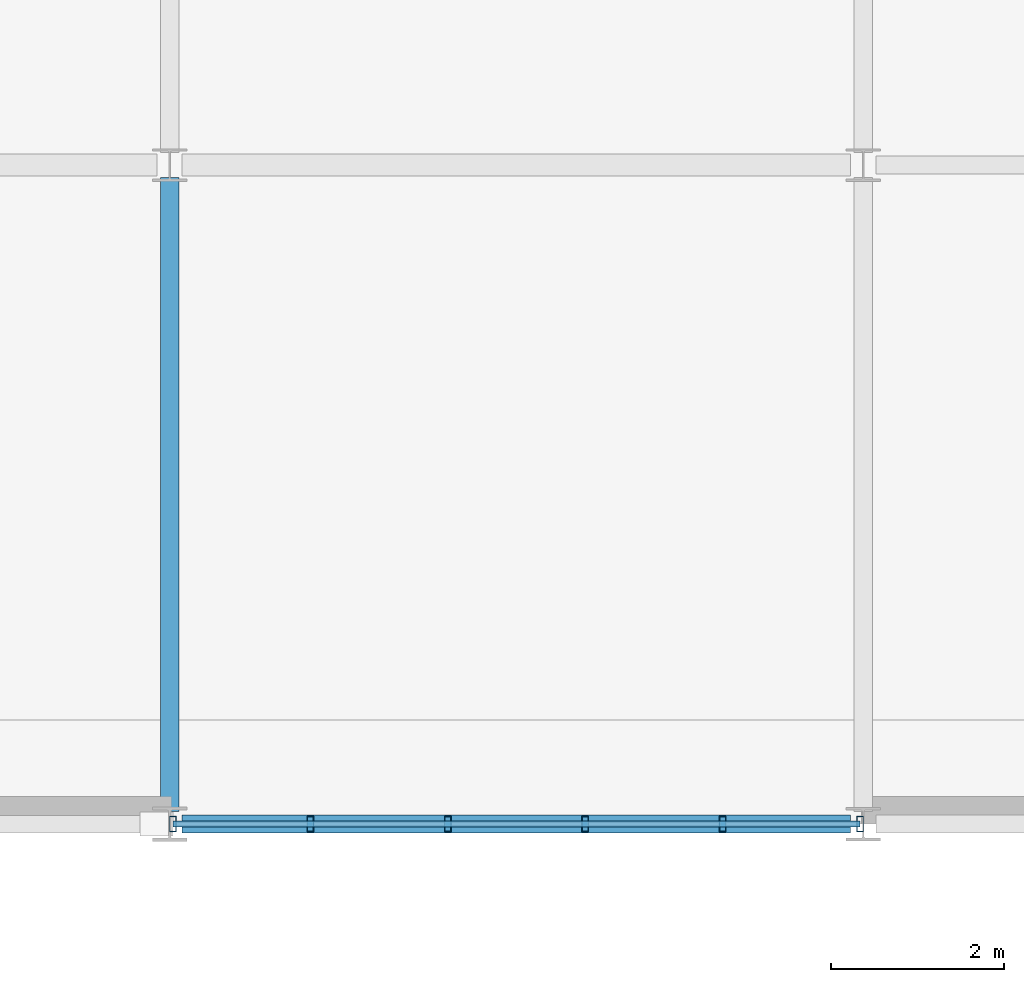
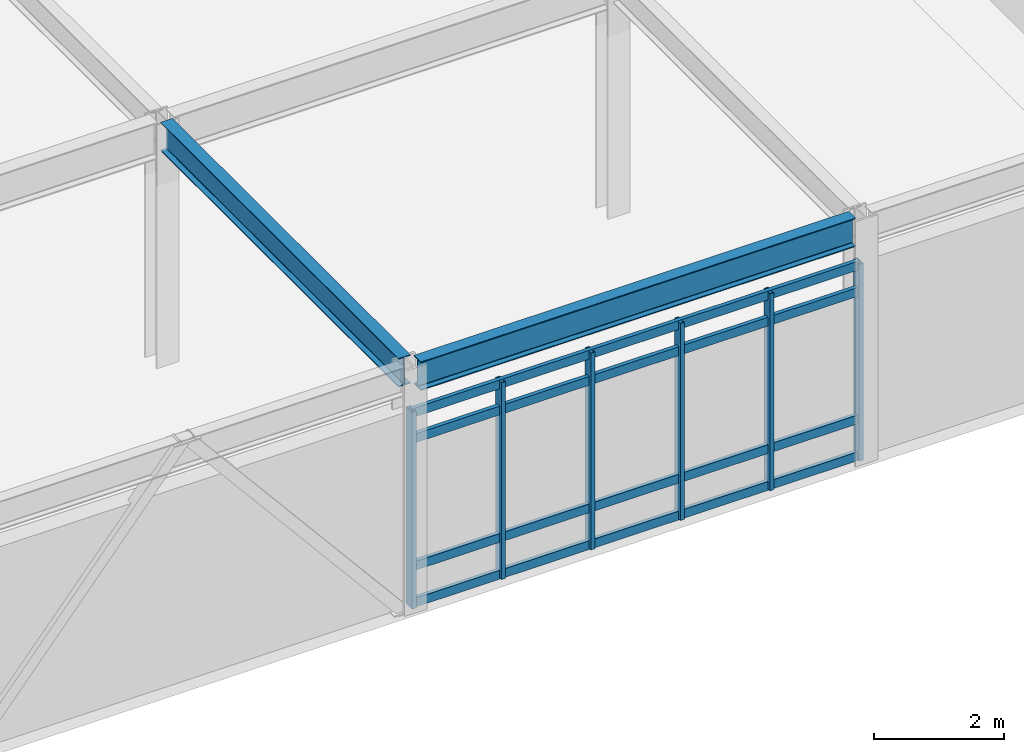
# One storey, part 59 of 104: 10 members, 2 beams, 1 element without a shape of its own.
"""IFC4 building model written with IfcOpenShell, lengths in metres."""

from ifc_helpers import new_model, si_unit, direction, frame, origin, origin_2d, place, context, subcontext, project, spatial, hollow_rectangle, i_section, extrude, material, material_profile, profile_set, type_object, element, aggregate, save


model = new_model("IFC4")

# Units and contexts
model_context = context("Model", 3, precision=1e-05, world=origin(), true_north=direction((0.0, 1.0)))
body_context = subcontext(model_context, "Body", "Model", "MODEL_VIEW")
ifc_project = project(units=[si_unit("LENGTHUNIT", "METRE"), si_unit("AREAUNIT", "SQUARE_METRE"), si_unit("VOLUMEUNIT", "CUBIC_METRE"), si_unit("PLANEANGLEUNIT", "RADIAN"), si_unit("MASSUNIT", "GRAM", prefix="KILO")], contexts=[model_context])

# Site, building, storey
site_placement = place(None, origin())
site = spatial("IfcSite", under=ifc_project, at=site_placement, CompositionType="ELEMENT")
building_placement = place(site_placement, origin())
building = spatial("IfcBuilding", under=site, at=building_placement, Name="Zulena Civic Courthouse", CompositionType="ELEMENT")
storey_placement = place(building_placement, frame((0.0, 0.0, 15.60009765625)))
storey = spatial("IfcBuildingStorey", under=building, at=storey_placement, Name="L03", CompositionType="ELEMENT", Elevation=15.60009765625)

# Curtain wall, members
ifc_material_1 = material(Name="Double-silver low-E laminated solar-control glass", Category="glass")
curtain_wall_type = type_object("IfcCurtainWallType", Name="CW_7928x3690", PredefinedType="USERDEFINED", material=ifc_material_1)
curtain_wall_placement = place(storey_placement, origin())
curtain_wall = element("IfcCurtainWall", 1, at=curtain_wall_placement, inside=storey, type_object=curtain_wall_type, Name="cw:V1:L03:3:1", ObjectType="UNITISED CURTAIN WALL", PredefinedType="USERDEFINED")
ifc_material_2 = material(Name="Bronze anodised thermally broken aluminium AA6063-T6", Category="aluminium")
ifc_material_profile_1 = material_profile(ifc_material_2, hollow_rectangle(XDim=0.074951171875, YDim=0.179931640625, WallThickness=0.0048828125, at=origin_2d()), Name="CWM180X75X5")
ifc_profile_set_1 = profile_set([ifc_material_profile_1], Name="Bronze anodised thermally broken aluminium AA6063-T6")
member_type_1 = type_object("IfcMemberType", Name="CWMullion_180x75", PredefinedType="MULLION", material=ifc_profile_set_1)
member_1_placement = place(storey_placement, frame((163.964111328125, 0.0, 0.0), z_axis=(0.0, 0.0, 1.0), x_axis=(1.0, 0.0, 0.0)))
member_1 = element("IfcMember", 2, at=member_1_placement, type_object=member_type_1, Name="cw:V1:L03:3:1:mull:0", PredefinedType="MULLION", context=body_context, shape_type="SweptSolid", body=[
    extrude(hollow_rectangle(XDim=0.074951171875, YDim=0.179931640625, WallThickness=0.0048828125, at=origin_2d()), origin(), (0.0, 0.0, 1.0), 3.68994140625),
])
member_2_placement = place(storey_placement, frame((162.37841796875, 0.0, 0.0), z_axis=(0.0, 0.0, 1.0), x_axis=(1.0, 0.0, 0.0)))
member_2 = element("IfcMember", 3, at=member_2_placement, type_object=member_type_1, Name="cw:V1:L03:3:1:mull:1", PredefinedType="MULLION", context=body_context, shape_type="SweptSolid", body=[
    extrude(hollow_rectangle(XDim=0.074951171875, YDim=0.179931640625, WallThickness=0.0048828125, at=origin_2d()), origin(), (0.0, 0.0, 1.0), 3.68994140625),
])
member_3_placement = place(storey_placement, frame((160.792724609375, 0.0, 0.0), z_axis=(0.0, 0.0, 1.0), x_axis=(1.0, 0.0, 0.0)))
member_3 = element("IfcMember", 4, at=member_3_placement, type_object=member_type_1, Name="cw:V1:L03:3:1:mull:2", PredefinedType="MULLION", context=body_context, shape_type="SweptSolid", body=[
    extrude(hollow_rectangle(XDim=0.074951171875, YDim=0.179931640625, WallThickness=0.0048828125, at=origin_2d()), origin(), (0.0, 0.0, 1.0), 3.68994140625),
])
member_4_placement = place(storey_placement, frame((159.207275390625, 0.0, 0.0), z_axis=(0.0, 0.0, 1.0), x_axis=(1.0, 0.0, 0.0)))
member_4 = element("IfcMember", 5, at=member_4_placement, type_object=member_type_1, Name="cw:V1:L03:3:1:mull:3", PredefinedType="MULLION", context=body_context, shape_type="SweptSolid", body=[
    extrude(hollow_rectangle(XDim=0.074951171875, YDim=0.179931640625, WallThickness=0.0048828125, at=origin_2d()), origin(), (0.0, 0.0, 1.0), 3.68994140625),
])
member_5_placement = place(storey_placement, frame((157.62158203125, 0.0, 0.0), z_axis=(0.0, 0.0, 1.0), x_axis=(1.0, 0.0, 0.0)))
member_5 = element("IfcMember", 6, at=member_5_placement, type_object=member_type_1, Name="cw:V1:L03:3:1:mull:4", PredefinedType="MULLION", context=body_context, shape_type="SweptSolid", body=[
    extrude(hollow_rectangle(XDim=0.074951171875, YDim=0.179931640625, WallThickness=0.0048828125, at=origin_2d()), origin(), (0.0, 0.0, 1.0), 3.68994140625),
])
member_6_placement = place(storey_placement, frame((156.035888671875, 0.0, 0.0), z_axis=(0.0, 0.0, 1.0), x_axis=(1.0, 0.0, 0.0)))
member_6 = element("IfcMember", 7, at=member_6_placement, type_object=member_type_1, Name="cw:V1:L03:3:1:mull:5", PredefinedType="MULLION", context=body_context, shape_type="SweptSolid", body=[
    extrude(hollow_rectangle(XDim=0.074951171875, YDim=0.179931640625, WallThickness=0.0048828125, at=origin_2d()), origin(), (0.0, 0.0, 1.0), 3.68994140625),
])
ifc_material_profile_2 = material_profile(ifc_material_2, hollow_rectangle(XDim=0.070068359375, YDim=0.1650390625, WallThickness=0.00390625, at=origin_2d()), Name="CWT165X70X4")
ifc_profile_set_2 = profile_set([ifc_material_profile_2], Name="Bronze anodised thermally broken aluminium AA6063-T6")
member_type_2 = type_object("IfcMemberType", Name="CWTransom_165x70", PredefinedType="USERDEFINED", material=ifc_profile_set_2)
member_7_placement = place(storey_placement, frame((163.964111328125, 0.0, 0.059814453125), z_axis=(-1.0, 0.0, 0.0), x_axis=(0.0, -1.0, 0.0)))
member_7 = element("IfcMember", 8, at=member_7_placement, type_object=member_type_2, Name="cw:V1:L03:3:1:tran:0", ObjectType="TRANSOM", PredefinedType="USERDEFINED", context=body_context, shape_type="SweptSolid", body=[
    extrude(hollow_rectangle(XDim=0.070068359375, YDim=0.1650390625, WallThickness=0.00390625, at=origin_2d()), origin(), (0.0, 0.0, 1.0), 7.92822265625),
])
member_8_placement = place(storey_placement, frame((163.964111328125, 0.0, 0.75), z_axis=(-1.0, 0.0, 0.0), x_axis=(0.0, -1.0, 0.0)))
member_8 = element("IfcMember", 9, at=member_8_placement, type_object=member_type_2, Name="cw:V1:L03:3:1:tran:1", ObjectType="TRANSOM", PredefinedType="USERDEFINED", context=body_context, shape_type="SweptSolid", body=[
    extrude(hollow_rectangle(XDim=0.070068359375, YDim=0.1650390625, WallThickness=0.00390625, at=origin_2d()), origin(), (0.0, 0.0, 1.0), 7.92822265625),
])
member_9_placement = place(storey_placement, frame((163.964111328125, 0.0, 3.139892578125), z_axis=(-1.0, 0.0, 0.0), x_axis=(0.0, -1.0, 0.0)))
member_9 = element("IfcMember", 10, at=member_9_placement, type_object=member_type_2, Name="cw:V1:L03:3:1:tran:2", ObjectType="TRANSOM", PredefinedType="USERDEFINED", context=body_context, shape_type="SweptSolid", body=[
    extrude(hollow_rectangle(XDim=0.070068359375, YDim=0.1650390625, WallThickness=0.00390625, at=origin_2d()), origin(), (0.0, 0.0, 1.0), 7.92822265625),
])
member_10_placement = place(storey_placement, frame((163.964111328125, 0.0, 3.6298828125), z_axis=(-1.0, 0.0, 0.0), x_axis=(0.0, -1.0, 0.0)))
member_10 = element("IfcMember", 11, at=member_10_placement, type_object=member_type_2, Name="cw:V1:L03:3:1:tran:3", ObjectType="TRANSOM", PredefinedType="USERDEFINED", context=body_context, shape_type="SweptSolid", body=[
    extrude(hollow_rectangle(XDim=0.070068359375, YDim=0.1650390625, WallThickness=0.00390625, at=origin_2d()), origin(), (0.0, 0.0, 1.0), 7.92822265625),
])
aggregate(curtain_wall, [member_1, member_2, member_3, member_4, member_5, member_6, member_7, member_8, member_9, member_10])

# Beams
ifc_material_3 = material(Name="Steel ASTM A992 Grade 50", Category="steel")
ifc_material_profile_3 = material_profile(ifc_material_3, i_section(OverallWidth=0.2099609375, OverallDepth=0.537109375, WebThickness=0.010986328125, FlangeThickness=0.017333984375, FilletRadius=0.0126953125, at=origin_2d()), Name="W21X68")
ifc_profile_set_3 = profile_set([ifc_material_profile_3], Name="Steel ASTM A992 Grade 50")
beam_type = type_object("IfcBeamType", Name="Spandrel_W21X68", PredefinedType="SPANDREL", material=ifc_profile_set_3)
beam_1_placement = place(storey_placement, frame((156.14501953125, 0.0, 4.326416015625), z_axis=(1.0, 0.0, 0.0), x_axis=(0.0, 1.0, 0.0)))
element("IfcBeam", 12, at=beam_1_placement, inside=storey, type_object=beam_type, Name="beam:X:V1:L03:0.0:156.0_164.0", PredefinedType="SPANDREL", context=body_context, shape_type="SweptSolid", body=[
    extrude(i_section(OverallWidth=0.2099609375, OverallDepth=0.537109375, WebThickness=0.010986328125, FlangeThickness=0.017333984375, FilletRadius=0.0126953125, at=origin_2d()), origin(), (0.0, 0.0, 1.0), 7.7099609375),
])
beam_2_placement = place(storey_placement, frame((156.0, 0.14501953125, 4.326416015625), z_axis=(0.0, 1.0, 0.0), x_axis=(-1.0, 0.0, 0.0)))
element("IfcBeam", 13, at=beam_2_placement, inside=storey, type_object=beam_type, Name="beam:Y:V1:L03:156.0:0.0_7.6", PredefinedType="SPANDREL", context=body_context, shape_type="SweptSolid", body=[
    extrude(i_section(OverallWidth=0.2099609375, OverallDepth=0.537109375, WebThickness=0.010986328125, FlangeThickness=0.017333984375, FilletRadius=0.0126953125, at=origin_2d()), origin(), (0.0, 0.0, 1.0), 7.31005859375),
])

save(model, "model.ifc")
